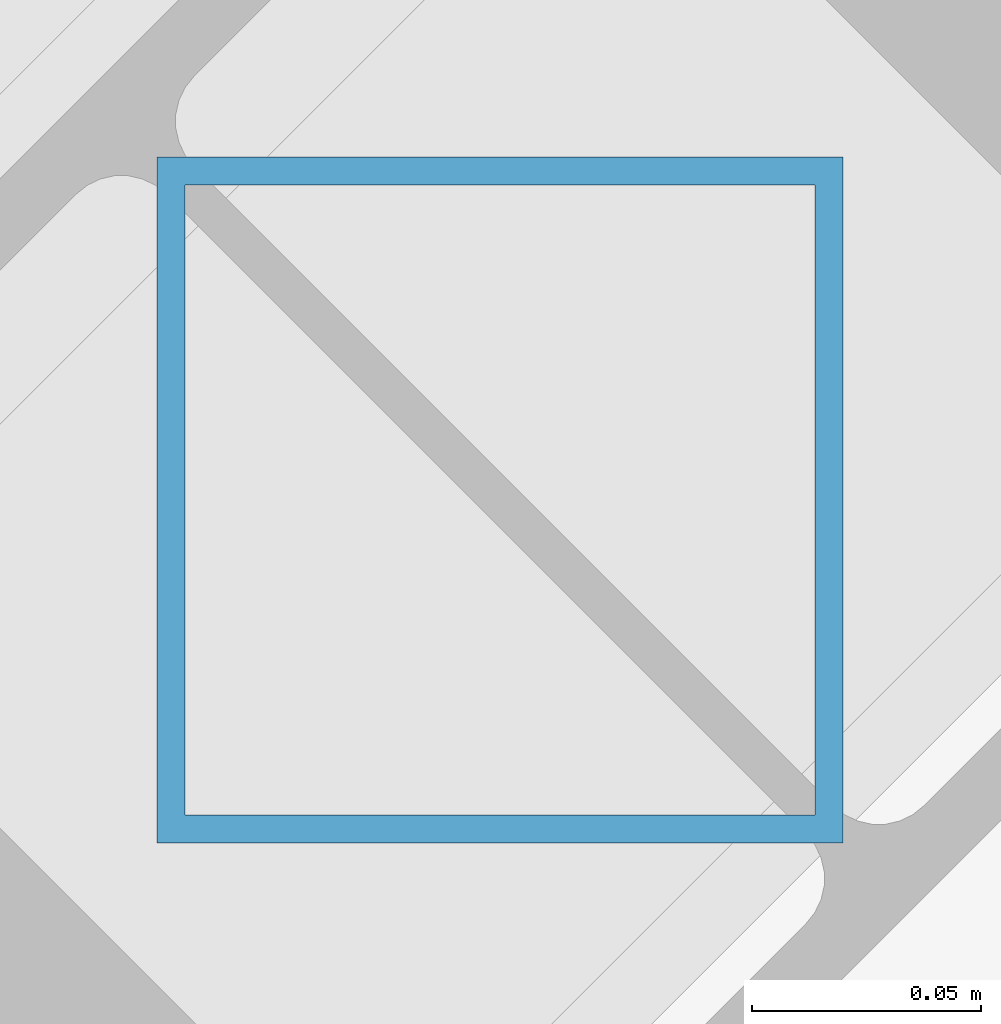
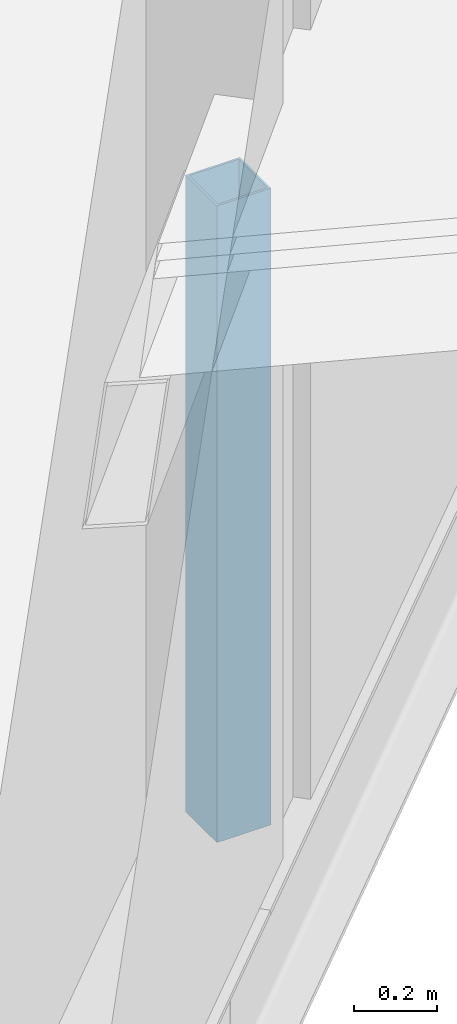
# One storey, part 122 of 200: 1 member.
"""IFC4 building model written with IfcOpenShell, lengths in metres."""

from ifc_helpers import new_model, si_unit, direction, frame, origin, origin_2d, place, context, subcontext, project, spatial, hollow_rectangle, extrude, material, material_profile, profile_set, type_object, element, save


model = new_model("IFC4")

# Units and contexts
model_context = context("Model", 3, precision=1e-05, world=origin(), true_north=direction((0.0, 1.0)))
body_context = subcontext(model_context, "Body", "Model", "MODEL_VIEW")
ifc_project = project(units=[si_unit("LENGTHUNIT", "METRE"), si_unit("AREAUNIT", "SQUARE_METRE"), si_unit("VOLUMEUNIT", "CUBIC_METRE"), si_unit("PLANEANGLEUNIT", "RADIAN"), si_unit("MASSUNIT", "GRAM", prefix="KILO")], contexts=[model_context])

# Site, building, storey
site_placement = place(None, origin())
site = spatial("IfcSite", under=ifc_project, at=site_placement, CompositionType="ELEMENT")
building_placement = place(site_placement, origin())
building = spatial("IfcBuilding", under=site, at=building_placement, Name="Vondelvale Polytechnic", CompositionType="ELEMENT")
storey_placement = place(building_placement, frame((0.0, 0.0, 13.800048828125)))
storey = spatial("IfcBuildingStorey", under=building, at=storey_placement, Name="L03", CompositionType="ELEMENT", Elevation=13.800048828125)

# Member
ifc_material = material(Name="Steel C350L0 (fy = 350 MPa)", Category="steel")
ifc_material_profile = material_profile(ifc_material, hollow_rectangle(XDim=0.14990234375, YDim=0.14990234375, WallThickness=0.006103515625, at=origin_2d()), Name="150x150x6.0SHS")
ifc_profile_set = profile_set([ifc_material_profile], Name="Steel C350L0 (fy = 350 MPa)")
member_type = type_object("IfcMemberType", Name="ROOF TRUSS POST 150SHS", PredefinedType="POST", material=ifc_profile_set)
member_placement = place(storey_placement, frame((128.1630859375, 98.1630859375, 0.0), z_axis=(0.0, 0.0, 1.0), x_axis=(1.0, 0.0, 0.0)))
element("IfcMember", 1, at=member_placement, inside=storey, type_object=member_type, Name="Ring step mid roof post 02", PredefinedType="POST", context=body_context, shape_type="SweptSolid", body=[
    extrude(hollow_rectangle(XDim=0.14990234375, YDim=0.14990234375, WallThickness=0.006103515625, at=origin_2d()), origin(), (0.0, 0.0, 1.0), 1.86572265625),
])

save(model, "model.ifc")
